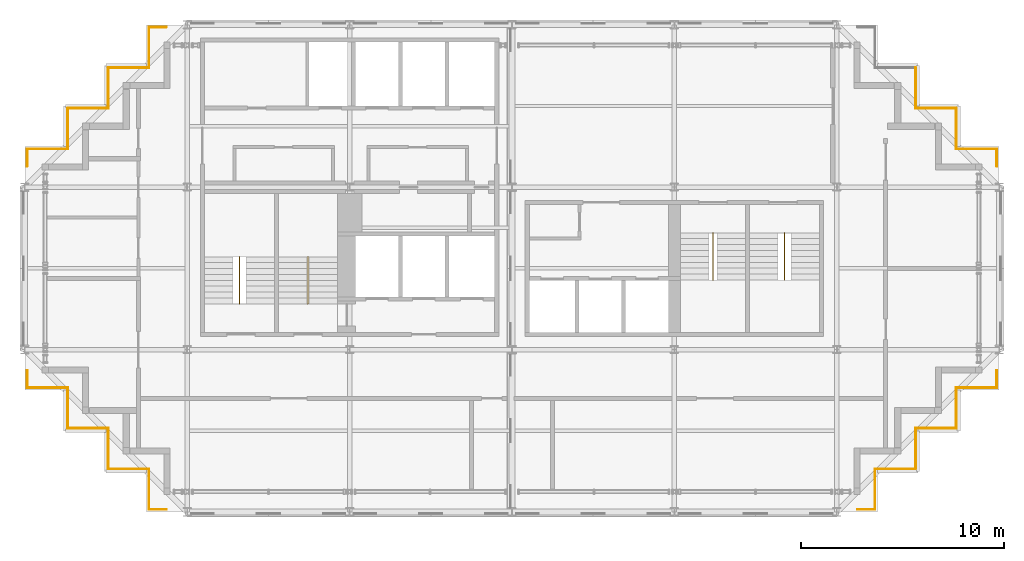
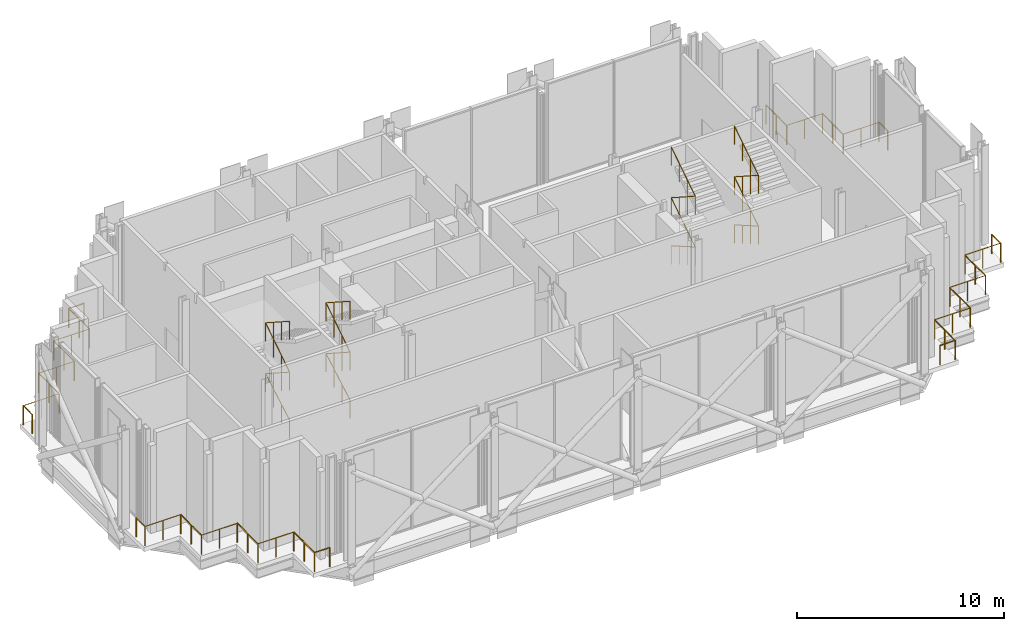
# One storey, part 15 of 16: 33 railings.
"""IFC4 building model written with IfcOpenShell, lengths in metres."""

import ifcopenshell
import ifcopenshell.guid

model = None  # the IFC model being written
_history = None  # IfcOwnerHistory: only IFC2X3 demands one
_inside = {}  # id of a spatial element -> (the spatial element, [elements in it])
_under = {}  # id of a project, library or spatial element -> (it, [spatial elements below it])
_declared = {}  # id of a project -> (the project, [libraries it declares])
_typed = {}  # id of a type object -> (the type object, [elements of that type])
_made_of = {}  # id of a material, layer set ... -> (it, [elements and type objects made of it])


def new_model(schema):
    """Start an empty IFC model of exactly this schema.

    Asked for "IFC4X3", IfcOpenShell would pick the latest addendum, in which some entities
    have other attributes; the version numbers below select the first issue.
    IFC2X3 requires an IfcOwnerHistory on every rooted entity: one is made here for all.
    """
    global model, _history
    if schema == "IFC4X3":
        model = ifcopenshell.file(schema_version=(4, 3, 0, 0))
    else:
        model = ifcopenshell.file(schema=schema)
    _inside.clear()
    _under.clear()
    _declared.clear()
    _typed.clear()
    _made_of.clear()
    _history = None
    if model.schema == "IFC2X3":
        org = make("IfcOrganization", Name="unknown")
        user = make(
            "IfcPersonAndOrganization",
            ThePerson=make("IfcPerson", FamilyName="unknown"),
            TheOrganization=org,
        )
        app = make(
            "IfcApplication",
            ApplicationDeveloper=org,
            Version="unknown",
            ApplicationFullName="unknown",
            ApplicationIdentifier="unknown",
        )
        _history = make(
            "IfcOwnerHistory",
            OwningUser=user,
            OwningApplication=app,
            ChangeAction="ADDED",
            CreationDate=0,
        )
    return model


def make(cls, **values):
    """One entity of the class cls with the attributes given. An attribute that is None is left unset."""
    return model.create_entity(
        cls, **{name: value for name, value in values.items() if value is not None}
    )


def rooted(cls, **values):
    """An entity with a GlobalId (a new one), such as an element, a storey or a relation."""
    return make(cls, GlobalId=ifcopenshell.guid.new(), OwnerHistory=_history, **values)


def si_unit(unit_type, name, prefix=None):
    """IfcSIUnit, for example si_unit("LENGTHUNIT", "METRE", prefix="MILLI")."""
    return make("IfcSIUnit", UnitType=unit_type, Prefix=prefix, Name=name)


def assignment(units):
    """IfcUnitAssignment: the units of a project."""
    return None if units is None else make("IfcUnitAssignment", Units=units)


def point(xyz):
    """IfcCartesianPoint."""
    return None if xyz is None else make("IfcCartesianPoint", Coordinates=xyz)


def direction(xyz):
    """IfcDirection."""
    return None if xyz is None else make("IfcDirection", DirectionRatios=xyz)


def frame(location, z_axis=None, x_axis=None):
    """IfcAxis2Placement3D, a coordinate frame: its origin and axes. An axis left out is left unset."""
    return make(
        "IfcAxis2Placement3D",
        Location=point(location),
        Axis=direction(z_axis),
        RefDirection=direction(x_axis),
    )


def frame_2d(location, x_axis=None):
    """IfcAxis2Placement2D, a coordinate frame in the plane: its origin and x axis."""
    return make(
        "IfcAxis2Placement2D", Location=point(location), RefDirection=direction(x_axis)
    )


def origin():
    """The frame at (0, 0, 0) with its axes left unset."""
    return frame((0.0, 0.0, 0.0))


def origin_2d():
    """The frame at (0, 0) in the plane with its x axis left unset."""
    return frame_2d((0.0, 0.0))


def place(relative_to, where):
    """IfcLocalPlacement: puts the frame where relative to a parent placement (None: the world)."""
    return make(
        "IfcLocalPlacement", PlacementRelTo=relative_to, RelativePlacement=where
    )


def context(
    kind, dimensions, precision=None, world=None, true_north=None, identifier=None
):
    """IfcGeometricRepresentationContext, for example the 3D "Model" context."""
    return make(
        "IfcGeometricRepresentationContext",
        ContextIdentifier=identifier,
        ContextType=kind,
        CoordinateSpaceDimension=dimensions,
        Precision=precision,
        WorldCoordinateSystem=world,
        TrueNorth=true_north,
    )


def subcontext(parent, identifier, kind, view, scale=None):
    """IfcGeometricRepresentationSubContext, for example "Body" below "Model"."""
    return make(
        "IfcGeometricRepresentationSubContext",
        ContextIdentifier=identifier,
        ContextType=kind,
        ParentContext=parent,
        TargetScale=scale,
        TargetView=view,
    )


def project(units=None, contexts=None):
    """IfcProject with its units and contexts."""
    return rooted(
        "IfcProject",
        Name="project",
        RepresentationContexts=contexts,
        UnitsInContext=assignment(units),
    )


def spatial(cls, under=None, at=None, **own):
    """A site, building, storey or space (cls), placed at a placement, below another one or the project."""
    s = rooted(cls, ObjectPlacement=at, **own)
    if under is not None:
        _under.setdefault(under.id(), (under, []))[1].append(s)
    return s


def profile(cls, at=None, kind="AREA", **sizes):
    """A parametric profile (cls). Its sizes go by their IFC names, for example OverallWidth=200.0."""
    return make(cls, ProfileType=kind, Position=at, **sizes)


def circle(**sizes):
    """IfcCircleProfileDef."""
    return profile("IfcCircleProfileDef", **sizes)


def extrude(swept, where, along, depth):
    """IfcExtrudedAreaSolid: the profile swept, set in the frame where, extruded along a direction by depth."""
    return make(
        "IfcExtrudedAreaSolid",
        SweptArea=swept,
        Position=where,
        ExtrudedDirection=direction(along),
        Depth=depth,
    )


def shape(context_of_items, identifier, shape_type, items):
    """IfcShapeRepresentation: the items that make up one representation, for example the "Body"."""
    return make(
        "IfcShapeRepresentation",
        ContextOfItems=context_of_items,
        RepresentationIdentifier=identifier,
        RepresentationType=shape_type,
        Items=items,
    )


def material(Name=None, Category=None):
    """IfcMaterial."""
    return make("IfcMaterial", Name=Name, Category=Category)


def made_of(thing, what):
    """Note that an element or type object is made of a material, layer set ...; save() writes the relation."""
    if what is not None:
        _made_of.setdefault(what.id(), (what, []))[1].append(thing)
    return thing


def type_object(cls, material=None, **own):
    """A type object (cls), such as IfcWallType, which elements share."""
    return made_of(rooted(cls, **own), material)


def element(
    cls,
    number,
    at=None,
    inside=None,
    cuts=None,
    type_object=None,
    material=None,
    context=None,
    identifier="Body",
    shape_type=None,
    held_by="IfcProductDefinitionShape",
    body=None,
    shapes=None,
    **own,
):
    """One element of the class cls, such as IfcWall. Its Tag is "e" and its number.

    at: its placement. inside: the storey or other place that contains it. cuts: it is an
    opening in that element (IfcRelVoidsElement). A single representation is given by context,
    identifier, shape_type and body (its items); several are given by shapes. held_by: the class
    of the entity that holds the representations. save() writes the other relations.
    """
    e = rooted(cls, Tag="e%d" % number, ObjectPlacement=at, **own)
    if body is not None:
        shapes = [shape(context, identifier, shape_type, body)]
    if shapes is not None:
        e.Representation = make(held_by, Representations=shapes)
    if inside is not None:
        _inside.setdefault(inside.id(), (inside, []))[1].append(e)
    if cuts is not None:
        rooted(
            "IfcRelVoidsElement", RelatingBuildingElement=cuts, RelatedOpeningElement=e
        )
    if type_object is not None:
        _typed.setdefault(type_object.id(), (type_object, []))[1].append(e)
    return made_of(e, material)


def aggregate(whole, parts):
    """IfcRelAggregates: a whole, such as a stair, and the parts it consists of."""
    return rooted("IfcRelAggregates", RelatingObject=whole, RelatedObjects=parts)


def save(model, path):
    """Write the relations noted so far, then the file.

    IfcRelAggregates (storeys below a building ...), IfcRelContainedInSpatialStructure (elements
    in a storey), IfcRelDefinesByType, IfcRelAssociatesMaterial and IfcRelDeclares: one each for
    every whole, place, type object, material and project.
    """
    for whole, parts in _under.values():
        aggregate(whole, parts)
    for where, things in _inside.values():
        rooted(
            "IfcRelContainedInSpatialStructure",
            RelatedElements=things,
            RelatingStructure=where,
        )
    for kind, things in _typed.values():
        rooted("IfcRelDefinesByType", RelatedObjects=things, RelatingType=kind)
    for what, things in _made_of.values():
        rooted("IfcRelAssociatesMaterial", RelatedObjects=things, RelatingMaterial=what)
    for by, libraries in _declared.values():
        rooted("IfcRelDeclares", RelatingContext=by, RelatedDefinitions=libraries)
    model.write(path)


model = new_model("IFC4")

# Units and contexts
model_context = context("Model", 3, precision=1e-05, world=origin(), true_north=direction((0.0, 1.0)))
body_context = subcontext(model_context, "Body", "Model", "MODEL_VIEW")
ifc_project = project(units=[si_unit("LENGTHUNIT", "METRE"), si_unit("AREAUNIT", "SQUARE_METRE"), si_unit("VOLUMEUNIT", "CUBIC_METRE"), si_unit("PLANEANGLEUNIT", "RADIAN"), si_unit("MASSUNIT", "GRAM", prefix="KILO")], contexts=[model_context])

# Site, building, storey
site_placement = place(None, origin())
site = spatial("IfcSite", under=ifc_project, at=site_placement, CompositionType="ELEMENT")
building_placement = place(site_placement, origin())
building = spatial("IfcBuilding", under=site, at=building_placement, Name="Immortelle Media Tower", CompositionType="ELEMENT")
storey_placement = place(building_placement, frame((0.0, 0.0, 241.0)))
storey = spatial("IfcBuildingStorey", under=building, at=storey_placement, Name="L52", CompositionType="ELEMENT", Elevation=241.0)

# Railings
ifc_material = material(Name="Stainless steel AISI 316", Category="steel")
railing_type_1 = type_object("IfcRailingType", Name="Plant ledge guard 1150", PredefinedType="GUARDRAIL", material=ifc_material)
railing_1_placement = place(storey_placement, frame((0.1201171875, 6.1201171875, 0.0)))
element("IfcRailing", 1, at=railing_1_placement, inside=storey, type_object=railing_type_1, Name="Plant ledge guard L52-1", PredefinedType="GUARDRAIL", context=body_context, shape_type="SweptSolid", body=[
    extrude(circle(Radius=0.02001953125, at=origin_2d()), frame((0.0, 0.0, 1.1298828125), z_axis=(1.0, 0.0, 0.0), x_axis=(0.0, 1.0, 0.0)), (0.0, 0.0, 1.0), 2.0),
    extrude(circle(Radius=0.02001953125, at=origin_2d()), origin(), (0.0, 0.0, 1.0), 1.10986328125),
    extrude(circle(Radius=0.02001953125, at=origin_2d()), frame((1.0, 0.0, 0.0)), (0.0, 0.0, 1.0), 1.10986328125),
    extrude(circle(Radius=0.02001953125, at=origin_2d()), frame((2.0, 0.0, 0.0)), (0.0, 0.0, 1.0), 1.10986328125),
])
railing_2_placement = place(storey_placement, frame((0.1201171875, 6.969970703125, 0.0)))
element("IfcRailing", 2, at=railing_2_placement, inside=storey, type_object=railing_type_1, Name="Plant ledge guard L52-2", PredefinedType="GUARDRAIL", context=body_context, shape_type="SweptSolid", body=[
    extrude(circle(Radius=0.02001953125, at=origin_2d()), frame((0.0, 0.0, 1.1298828125), z_axis=(0.0, -1.0, 0.0), x_axis=(1.0, 0.0, 0.0)), (0.0, 0.0, 1.0), 0.849853515625),
    extrude(circle(Radius=0.02001953125, at=origin_2d()), origin(), (0.0, 0.0, 1.0), 1.10986328125),
    extrude(circle(Radius=0.02001953125, at=origin_2d()), frame((0.0, -0.849853515625, 0.0)), (0.0, 0.0, 1.0), 1.10986328125),
])
railing_3_placement = place(storey_placement, frame((2.1201171875, 6.1201171875, 0.0)))
element("IfcRailing", 3, at=railing_3_placement, inside=storey, type_object=railing_type_1, Name="Plant ledge guard L52-3", PredefinedType="GUARDRAIL", context=body_context, shape_type="SweptSolid", body=[
    extrude(circle(Radius=0.02001953125, at=origin_2d()), frame((0.0, 0.0, 1.1298828125), z_axis=(0.0, -1.0, 0.0), x_axis=(1.0, 0.0, 0.0)), (0.0, 0.0, 1.0), 2.0),
    extrude(circle(Radius=0.02001953125, at=origin_2d()), origin(), (0.0, 0.0, 1.0), 1.10986328125),
    extrude(circle(Radius=0.02001953125, at=origin_2d()), frame((0.0, -1.0, 0.0)), (0.0, 0.0, 1.0), 1.10986328125),
    extrude(circle(Radius=0.02001953125, at=origin_2d()), frame((0.0, -2.0, 0.0)), (0.0, 0.0, 1.0), 1.10986328125),
])
railing_4_placement = place(storey_placement, frame((2.1201171875, 4.1201171875, 0.0)))
element("IfcRailing", 4, at=railing_4_placement, inside=storey, type_object=railing_type_1, Name="Plant ledge guard L52-4", PredefinedType="GUARDRAIL", context=body_context, shape_type="SweptSolid", body=[
    extrude(circle(Radius=0.02001953125, at=origin_2d()), frame((0.0, 0.0, 1.1298828125), z_axis=(1.0, 0.0, 0.0), x_axis=(0.0, 1.0, 0.0)), (0.0, 0.0, 1.0), 2.0),
    extrude(circle(Radius=0.02001953125, at=origin_2d()), origin(), (0.0, 0.0, 1.0), 1.10986328125),
    extrude(circle(Radius=0.02001953125, at=origin_2d()), frame((1.0, 0.0, 0.0)), (0.0, 0.0, 1.0), 1.10986328125),
    extrude(circle(Radius=0.02001953125, at=origin_2d()), frame((2.0, 0.0, 0.0)), (0.0, 0.0, 1.0), 1.10986328125),
])
railing_5_placement = place(storey_placement, frame((4.1201171875, 4.1201171875, 0.0)))
element("IfcRailing", 5, at=railing_5_placement, inside=storey, type_object=railing_type_1, Name="Plant ledge guard L52-5", PredefinedType="GUARDRAIL", context=body_context, shape_type="SweptSolid", body=[
    extrude(circle(Radius=0.02001953125, at=origin_2d()), frame((0.0, 0.0, 1.1298828125), z_axis=(0.0, -1.0, 0.0), x_axis=(1.0, 0.0, 0.0)), (0.0, 0.0, 1.0), 2.0),
    extrude(circle(Radius=0.02001953125, at=origin_2d()), origin(), (0.0, 0.0, 1.0), 1.10986328125),
    extrude(circle(Radius=0.02001953125, at=origin_2d()), frame((0.0, -1.0, 0.0)), (0.0, 0.0, 1.0), 1.10986328125),
    extrude(circle(Radius=0.02001953125, at=origin_2d()), frame((0.0, -2.0, 0.0)), (0.0, 0.0, 1.0), 1.10986328125),
])
railing_6_placement = place(storey_placement, frame((4.1201171875, 2.1201171875, 0.0)))
element("IfcRailing", 6, at=railing_6_placement, inside=storey, type_object=railing_type_1, Name="Plant ledge guard L52-6", PredefinedType="GUARDRAIL", context=body_context, shape_type="SweptSolid", body=[
    extrude(circle(Radius=0.02001953125, at=origin_2d()), frame((0.0, 0.0, 1.1298828125), z_axis=(1.0, 0.0, 0.0), x_axis=(0.0, 1.0, 0.0)), (0.0, 0.0, 1.0), 2.0),
    extrude(circle(Radius=0.02001953125, at=origin_2d()), origin(), (0.0, 0.0, 1.0), 1.10986328125),
    extrude(circle(Radius=0.02001953125, at=origin_2d()), frame((1.0, 0.0, 0.0)), (0.0, 0.0, 1.0), 1.10986328125),
    extrude(circle(Radius=0.02001953125, at=origin_2d()), frame((2.0, 0.0, 0.0)), (0.0, 0.0, 1.0), 1.10986328125),
])
railing_7_placement = place(storey_placement, frame((6.1201171875, 2.1201171875, 0.0)))
element("IfcRailing", 7, at=railing_7_placement, inside=storey, type_object=railing_type_1, Name="Plant ledge guard L52-7", PredefinedType="GUARDRAIL", context=body_context, shape_type="SweptSolid", body=[
    extrude(circle(Radius=0.02001953125, at=origin_2d()), frame((0.0, 0.0, 1.1298828125), z_axis=(0.0, -1.0, 0.0), x_axis=(1.0, 0.0, 0.0)), (0.0, 0.0, 1.0), 2.0),
    extrude(circle(Radius=0.02001953125, at=origin_2d()), origin(), (0.0, 0.0, 1.0), 1.10986328125),
    extrude(circle(Radius=0.02001953125, at=origin_2d()), frame((0.0, -1.0, 0.0)), (0.0, 0.0, 1.0), 1.10986328125),
    extrude(circle(Radius=0.02001953125, at=origin_2d()), frame((0.0, -2.0, 0.0)), (0.0, 0.0, 1.0), 1.10986328125),
])
railing_8_placement = place(storey_placement, frame((6.1201171875, 0.1201171875, 0.0)))
element("IfcRailing", 8, at=railing_8_placement, inside=storey, type_object=railing_type_1, Name="Plant ledge guard L52-8", PredefinedType="GUARDRAIL", context=body_context, shape_type="SweptSolid", body=[
    extrude(circle(Radius=0.02001953125, at=origin_2d()), frame((0.0, 0.0, 1.1298828125), z_axis=(1.0, 0.0, 0.0), x_axis=(0.0, 1.0, 0.0)), (0.0, 0.0, 1.0), 0.849853515625),
    extrude(circle(Radius=0.02001953125, at=origin_2d()), origin(), (0.0, 0.0, 1.0), 1.10986328125),
    extrude(circle(Radius=0.02001953125, at=origin_2d()), frame((0.849853515625, 0.0, 0.0)), (0.0, 0.0, 1.0), 1.10986328125),
])
railing_9_placement = place(storey_placement, frame((41.8798828125, 0.1201171875, 0.0)))
element("IfcRailing", 9, at=railing_9_placement, inside=storey, type_object=railing_type_1, Name="Plant ledge guard L52-9", PredefinedType="GUARDRAIL", context=body_context, shape_type="SweptSolid", body=[
    extrude(circle(Radius=0.02001953125, at=origin_2d()), frame((0.0, 0.0, 1.1298828125), z_axis=(0.0, 1.0, 0.0), x_axis=(-1.0, 0.0, 0.0)), (0.0, 0.0, 1.0), 2.0),
    extrude(circle(Radius=0.02001953125, at=origin_2d()), origin(), (0.0, 0.0, 1.0), 1.10986328125),
    extrude(circle(Radius=0.02001953125, at=origin_2d()), frame((0.0, 1.0, 0.0)), (0.0, 0.0, 1.0), 1.10986328125),
    extrude(circle(Radius=0.02001953125, at=origin_2d()), frame((0.0, 2.0, 0.0)), (0.0, 0.0, 1.0), 1.10986328125),
])
railing_10_placement = place(storey_placement, frame((41.030029296875, 0.1201171875, 0.0)))
element("IfcRailing", 10, at=railing_10_placement, inside=storey, type_object=railing_type_1, Name="Plant ledge guard L52-10", PredefinedType="GUARDRAIL", context=body_context, shape_type="SweptSolid", body=[
    extrude(circle(Radius=0.02001953125, at=origin_2d()), frame((0.0, 0.0, 1.1298828125), z_axis=(1.0, 0.0, 0.0), x_axis=(0.0, 1.0, 0.0)), (0.0, 0.0, 1.0), 0.849853515625),
    extrude(circle(Radius=0.02001953125, at=origin_2d()), origin(), (0.0, 0.0, 1.0), 1.10986328125),
    extrude(circle(Radius=0.02001953125, at=origin_2d()), frame((0.849853515625, 0.0, 0.0)), (0.0, 0.0, 1.0), 1.10986328125),
])
railing_11_placement = place(storey_placement, frame((41.8798828125, 2.1201171875, 0.0)))
element("IfcRailing", 11, at=railing_11_placement, inside=storey, type_object=railing_type_1, Name="Plant ledge guard L52-11", PredefinedType="GUARDRAIL", context=body_context, shape_type="SweptSolid", body=[
    extrude(circle(Radius=0.02001953125, at=origin_2d()), frame((0.0, 0.0, 1.1298828125), z_axis=(1.0, 0.0, 0.0), x_axis=(0.0, 1.0, 0.0)), (0.0, 0.0, 1.0), 2.0),
    extrude(circle(Radius=0.02001953125, at=origin_2d()), origin(), (0.0, 0.0, 1.0), 1.10986328125),
    extrude(circle(Radius=0.02001953125, at=origin_2d()), frame((1.0, 0.0, 0.0)), (0.0, 0.0, 1.0), 1.10986328125),
    extrude(circle(Radius=0.02001953125, at=origin_2d()), frame((2.0, 0.0, 0.0)), (0.0, 0.0, 1.0), 1.10986328125),
])
railing_12_placement = place(storey_placement, frame((43.8798828125, 2.1201171875, 0.0)))
element("IfcRailing", 12, at=railing_12_placement, inside=storey, type_object=railing_type_1, Name="Plant ledge guard L52-12", PredefinedType="GUARDRAIL", context=body_context, shape_type="SweptSolid", body=[
    extrude(circle(Radius=0.02001953125, at=origin_2d()), frame((0.0, 0.0, 1.1298828125), z_axis=(0.0, 1.0, 0.0), x_axis=(-1.0, 0.0, 0.0)), (0.0, 0.0, 1.0), 2.0),
    extrude(circle(Radius=0.02001953125, at=origin_2d()), origin(), (0.0, 0.0, 1.0), 1.10986328125),
    extrude(circle(Radius=0.02001953125, at=origin_2d()), frame((0.0, 1.0, 0.0)), (0.0, 0.0, 1.0), 1.10986328125),
    extrude(circle(Radius=0.02001953125, at=origin_2d()), frame((0.0, 2.0, 0.0)), (0.0, 0.0, 1.0), 1.10986328125),
])
railing_13_placement = place(storey_placement, frame((43.8798828125, 4.1201171875, 0.0)))
element("IfcRailing", 13, at=railing_13_placement, inside=storey, type_object=railing_type_1, Name="Plant ledge guard L52-13", PredefinedType="GUARDRAIL", context=body_context, shape_type="SweptSolid", body=[
    extrude(circle(Radius=0.02001953125, at=origin_2d()), frame((0.0, 0.0, 1.1298828125), z_axis=(1.0, 0.0, 0.0), x_axis=(0.0, 1.0, 0.0)), (0.0, 0.0, 1.0), 2.0),
    extrude(circle(Radius=0.02001953125, at=origin_2d()), origin(), (0.0, 0.0, 1.0), 1.10986328125),
    extrude(circle(Radius=0.02001953125, at=origin_2d()), frame((1.0, 0.0, 0.0)), (0.0, 0.0, 1.0), 1.10986328125),
    extrude(circle(Radius=0.02001953125, at=origin_2d()), frame((2.0, 0.0, 0.0)), (0.0, 0.0, 1.0), 1.10986328125),
])
railing_14_placement = place(storey_placement, frame((45.8798828125, 4.1201171875, 0.0)))
element("IfcRailing", 14, at=railing_14_placement, inside=storey, type_object=railing_type_1, Name="Plant ledge guard L52-14", PredefinedType="GUARDRAIL", context=body_context, shape_type="SweptSolid", body=[
    extrude(circle(Radius=0.02001953125, at=origin_2d()), frame((0.0, 0.0, 1.1298828125), z_axis=(0.0, 1.0, 0.0), x_axis=(-1.0, 0.0, 0.0)), (0.0, 0.0, 1.0), 2.0),
    extrude(circle(Radius=0.02001953125, at=origin_2d()), origin(), (0.0, 0.0, 1.0), 1.10986328125),
    extrude(circle(Radius=0.02001953125, at=origin_2d()), frame((0.0, 1.0, 0.0)), (0.0, 0.0, 1.0), 1.10986328125),
    extrude(circle(Radius=0.02001953125, at=origin_2d()), frame((0.0, 2.0, 0.0)), (0.0, 0.0, 1.0), 1.10986328125),
])
railing_15_placement = place(storey_placement, frame((45.8798828125, 6.1201171875, 0.0)))
element("IfcRailing", 15, at=railing_15_placement, inside=storey, type_object=railing_type_1, Name="Plant ledge guard L52-15", PredefinedType="GUARDRAIL", context=body_context, shape_type="SweptSolid", body=[
    extrude(circle(Radius=0.02001953125, at=origin_2d()), frame((0.0, 0.0, 1.1298828125), z_axis=(1.0, 0.0, 0.0), x_axis=(0.0, 1.0, 0.0)), (0.0, 0.0, 1.0), 2.0),
    extrude(circle(Radius=0.02001953125, at=origin_2d()), origin(), (0.0, 0.0, 1.0), 1.10986328125),
    extrude(circle(Radius=0.02001953125, at=origin_2d()), frame((1.0, 0.0, 0.0)), (0.0, 0.0, 1.0), 1.10986328125),
    extrude(circle(Radius=0.02001953125, at=origin_2d()), frame((2.0, 0.0, 0.0)), (0.0, 0.0, 1.0), 1.10986328125),
])
railing_16_placement = place(storey_placement, frame((47.8798828125, 6.1201171875, 0.0)))
element("IfcRailing", 16, at=railing_16_placement, inside=storey, type_object=railing_type_1, Name="Plant ledge guard L52-16", PredefinedType="GUARDRAIL", context=body_context, shape_type="SweptSolid", body=[
    extrude(circle(Radius=0.02001953125, at=origin_2d()), frame((0.0, 0.0, 1.1298828125), z_axis=(0.0, 1.0, 0.0), x_axis=(-1.0, 0.0, 0.0)), (0.0, 0.0, 1.0), 0.849853515625),
    extrude(circle(Radius=0.02001953125, at=origin_2d()), origin(), (0.0, 0.0, 1.0), 1.10986328125),
    extrude(circle(Radius=0.02001953125, at=origin_2d()), frame((0.0, 0.849853515625, 0.0)), (0.0, 0.0, 1.0), 1.10986328125),
])
railing_17_placement = place(storey_placement, frame((47.8798828125, 17.8798828125, 0.0)))
element("IfcRailing", 17, at=railing_17_placement, inside=storey, type_object=railing_type_1, Name="Plant ledge guard L52-17", PredefinedType="GUARDRAIL", context=body_context, shape_type="SweptSolid", body=[
    extrude(circle(Radius=0.02001953125, at=origin_2d()), frame((0.0, 0.0, 1.1298828125), z_axis=(-1.0, 0.0, 0.0), x_axis=(0.0, -1.0, 0.0)), (0.0, 0.0, 1.0), 2.0),
    extrude(circle(Radius=0.02001953125, at=origin_2d()), origin(), (0.0, 0.0, 1.0), 1.10986328125),
    extrude(circle(Radius=0.02001953125, at=origin_2d()), frame((-1.0, 0.0, 0.0)), (0.0, 0.0, 1.0), 1.10986328125),
    extrude(circle(Radius=0.02001953125, at=origin_2d()), frame((-2.0, 0.0, 0.0)), (0.0, 0.0, 1.0), 1.10986328125),
])
railing_18_placement = place(storey_placement, frame((47.8798828125, 17.030029296875, 0.0)))
element("IfcRailing", 18, at=railing_18_placement, inside=storey, type_object=railing_type_1, Name="Plant ledge guard L52-18", PredefinedType="GUARDRAIL", context=body_context, shape_type="SweptSolid", body=[
    extrude(circle(Radius=0.02001953125, at=origin_2d()), frame((0.0, 0.0, 1.1298828125), z_axis=(0.0, 1.0, 0.0), x_axis=(-1.0, 0.0, 0.0)), (0.0, 0.0, 1.0), 0.849853515625),
    extrude(circle(Radius=0.02001953125, at=origin_2d()), origin(), (0.0, 0.0, 1.0), 1.10986328125),
    extrude(circle(Radius=0.02001953125, at=origin_2d()), frame((0.0, 0.849853515625, 0.0)), (0.0, 0.0, 1.0), 1.10986328125),
])
railing_19_placement = place(storey_placement, frame((45.8798828125, 17.8798828125, 0.0)))
element("IfcRailing", 19, at=railing_19_placement, inside=storey, type_object=railing_type_1, Name="Plant ledge guard L52-19", PredefinedType="GUARDRAIL", context=body_context, shape_type="SweptSolid", body=[
    extrude(circle(Radius=0.02001953125, at=origin_2d()), frame((0.0, 0.0, 1.1298828125), z_axis=(0.0, 1.0, 0.0), x_axis=(-1.0, 0.0, 0.0)), (0.0, 0.0, 1.0), 2.0),
    extrude(circle(Radius=0.02001953125, at=origin_2d()), origin(), (0.0, 0.0, 1.0), 1.10986328125),
    extrude(circle(Radius=0.02001953125, at=origin_2d()), frame((0.0, 1.0, 0.0)), (0.0, 0.0, 1.0), 1.10986328125),
    extrude(circle(Radius=0.02001953125, at=origin_2d()), frame((0.0, 2.0, 0.0)), (0.0, 0.0, 1.0), 1.10986328125),
])
railing_20_placement = place(storey_placement, frame((45.8798828125, 19.8798828125, 0.0)))
element("IfcRailing", 20, at=railing_20_placement, inside=storey, type_object=railing_type_1, Name="Plant ledge guard L52-20", PredefinedType="GUARDRAIL", context=body_context, shape_type="SweptSolid", body=[
    extrude(circle(Radius=0.02001953125, at=origin_2d()), frame((0.0, 0.0, 1.1298828125), z_axis=(-1.0, 0.0, 0.0), x_axis=(0.0, -1.0, 0.0)), (0.0, 0.0, 1.0), 2.0),
    extrude(circle(Radius=0.02001953125, at=origin_2d()), origin(), (0.0, 0.0, 1.0), 1.10986328125),
    extrude(circle(Radius=0.02001953125, at=origin_2d()), frame((-1.0, 0.0, 0.0)), (0.0, 0.0, 1.0), 1.10986328125),
    extrude(circle(Radius=0.02001953125, at=origin_2d()), frame((-2.0, 0.0, 0.0)), (0.0, 0.0, 1.0), 1.10986328125),
])
railing_21_placement = place(storey_placement, frame((43.8798828125, 19.8798828125, 0.0)))
element("IfcRailing", 21, at=railing_21_placement, inside=storey, type_object=railing_type_1, Name="Plant ledge guard L52-21", PredefinedType="GUARDRAIL", context=body_context, shape_type="SweptSolid", body=[
    extrude(circle(Radius=0.02001953125, at=origin_2d()), frame((0.0, 0.0, 1.1298828125), z_axis=(0.0, 1.0, 0.0), x_axis=(-1.0, 0.0, 0.0)), (0.0, 0.0, 1.0), 2.0),
    extrude(circle(Radius=0.02001953125, at=origin_2d()), origin(), (0.0, 0.0, 1.0), 1.10986328125),
    extrude(circle(Radius=0.02001953125, at=origin_2d()), frame((0.0, 1.0, 0.0)), (0.0, 0.0, 1.0), 1.10986328125),
    extrude(circle(Radius=0.02001953125, at=origin_2d()), frame((0.0, 2.0, 0.0)), (0.0, 0.0, 1.0), 1.10986328125),
])
railing_22_placement = place(storey_placement, frame((6.1201171875, 23.8798828125, 0.0)))
element("IfcRailing", 22, at=railing_22_placement, inside=storey, type_object=railing_type_1, Name="Plant ledge guard L52-25", PredefinedType="GUARDRAIL", context=body_context, shape_type="SweptSolid", body=[
    extrude(circle(Radius=0.02001953125, at=origin_2d()), frame((0.0, 0.0, 1.1298828125), z_axis=(0.0, -1.0, 0.0), x_axis=(1.0, 0.0, 0.0)), (0.0, 0.0, 1.0), 2.0),
    extrude(circle(Radius=0.02001953125, at=origin_2d()), origin(), (0.0, 0.0, 1.0), 1.10986328125),
    extrude(circle(Radius=0.02001953125, at=origin_2d()), frame((0.0, -1.0, 0.0)), (0.0, 0.0, 1.0), 1.10986328125),
    extrude(circle(Radius=0.02001953125, at=origin_2d()), frame((0.0, -2.0, 0.0)), (0.0, 0.0, 1.0), 1.10986328125),
])
railing_23_placement = place(storey_placement, frame((6.969970703125, 23.8798828125, 0.0)))
element("IfcRailing", 23, at=railing_23_placement, inside=storey, type_object=railing_type_1, Name="Plant ledge guard L52-26", PredefinedType="GUARDRAIL", context=body_context, shape_type="SweptSolid", body=[
    extrude(circle(Radius=0.02001953125, at=origin_2d()), frame((0.0, 0.0, 1.1298828125), z_axis=(-1.0, 0.0, 0.0), x_axis=(0.0, -1.0, 0.0)), (0.0, 0.0, 1.0), 0.849853515625),
    extrude(circle(Radius=0.02001953125, at=origin_2d()), origin(), (0.0, 0.0, 1.0), 1.10986328125),
    extrude(circle(Radius=0.02001953125, at=origin_2d()), frame((-0.849853515625, 0.0, 0.0)), (0.0, 0.0, 1.0), 1.10986328125),
])
railing_24_placement = place(storey_placement, frame((6.1201171875, 21.8798828125, 0.0)))
element("IfcRailing", 24, at=railing_24_placement, inside=storey, type_object=railing_type_1, Name="Plant ledge guard L52-27", PredefinedType="GUARDRAIL", context=body_context, shape_type="SweptSolid", body=[
    extrude(circle(Radius=0.02001953125, at=origin_2d()), frame((0.0, 0.0, 1.1298828125), z_axis=(-1.0, 0.0, 0.0), x_axis=(0.0, -1.0, 0.0)), (0.0, 0.0, 1.0), 2.0),
    extrude(circle(Radius=0.02001953125, at=origin_2d()), origin(), (0.0, 0.0, 1.0), 1.10986328125),
    extrude(circle(Radius=0.02001953125, at=origin_2d()), frame((-1.0, 0.0, 0.0)), (0.0, 0.0, 1.0), 1.10986328125),
    extrude(circle(Radius=0.02001953125, at=origin_2d()), frame((-2.0, 0.0, 0.0)), (0.0, 0.0, 1.0), 1.10986328125),
])
railing_25_placement = place(storey_placement, frame((4.1201171875, 21.8798828125, 0.0)))
element("IfcRailing", 25, at=railing_25_placement, inside=storey, type_object=railing_type_1, Name="Plant ledge guard L52-28", PredefinedType="GUARDRAIL", context=body_context, shape_type="SweptSolid", body=[
    extrude(circle(Radius=0.02001953125, at=origin_2d()), frame((0.0, 0.0, 1.1298828125), z_axis=(0.0, -1.0, 0.0), x_axis=(1.0, 0.0, 0.0)), (0.0, 0.0, 1.0), 2.0),
    extrude(circle(Radius=0.02001953125, at=origin_2d()), origin(), (0.0, 0.0, 1.0), 1.10986328125),
    extrude(circle(Radius=0.02001953125, at=origin_2d()), frame((0.0, -1.0, 0.0)), (0.0, 0.0, 1.0), 1.10986328125),
    extrude(circle(Radius=0.02001953125, at=origin_2d()), frame((0.0, -2.0, 0.0)), (0.0, 0.0, 1.0), 1.10986328125),
])
railing_26_placement = place(storey_placement, frame((4.1201171875, 19.8798828125, 0.0)))
element("IfcRailing", 26, at=railing_26_placement, inside=storey, type_object=railing_type_1, Name="Plant ledge guard L52-29", PredefinedType="GUARDRAIL", context=body_context, shape_type="SweptSolid", body=[
    extrude(circle(Radius=0.02001953125, at=origin_2d()), frame((0.0, 0.0, 1.1298828125), z_axis=(-1.0, 0.0, 0.0), x_axis=(0.0, -1.0, 0.0)), (0.0, 0.0, 1.0), 2.0),
    extrude(circle(Radius=0.02001953125, at=origin_2d()), origin(), (0.0, 0.0, 1.0), 1.10986328125),
    extrude(circle(Radius=0.02001953125, at=origin_2d()), frame((-1.0, 0.0, 0.0)), (0.0, 0.0, 1.0), 1.10986328125),
    extrude(circle(Radius=0.02001953125, at=origin_2d()), frame((-2.0, 0.0, 0.0)), (0.0, 0.0, 1.0), 1.10986328125),
])
railing_27_placement = place(storey_placement, frame((2.1201171875, 19.8798828125, 0.0)))
element("IfcRailing", 27, at=railing_27_placement, inside=storey, type_object=railing_type_1, Name="Plant ledge guard L52-30", PredefinedType="GUARDRAIL", context=body_context, shape_type="SweptSolid", body=[
    extrude(circle(Radius=0.02001953125, at=origin_2d()), frame((0.0, 0.0, 1.1298828125), z_axis=(0.0, -1.0, 0.0), x_axis=(1.0, 0.0, 0.0)), (0.0, 0.0, 1.0), 2.0),
    extrude(circle(Radius=0.02001953125, at=origin_2d()), origin(), (0.0, 0.0, 1.0), 1.10986328125),
    extrude(circle(Radius=0.02001953125, at=origin_2d()), frame((0.0, -1.0, 0.0)), (0.0, 0.0, 1.0), 1.10986328125),
    extrude(circle(Radius=0.02001953125, at=origin_2d()), frame((0.0, -2.0, 0.0)), (0.0, 0.0, 1.0), 1.10986328125),
])
railing_28_placement = place(storey_placement, frame((2.1201171875, 17.8798828125, 0.0)))
element("IfcRailing", 28, at=railing_28_placement, inside=storey, type_object=railing_type_1, Name="Plant ledge guard L52-31", PredefinedType="GUARDRAIL", context=body_context, shape_type="SweptSolid", body=[
    extrude(circle(Radius=0.02001953125, at=origin_2d()), frame((0.0, 0.0, 1.1298828125), z_axis=(-1.0, 0.0, 0.0), x_axis=(0.0, -1.0, 0.0)), (0.0, 0.0, 1.0), 2.0),
    extrude(circle(Radius=0.02001953125, at=origin_2d()), origin(), (0.0, 0.0, 1.0), 1.10986328125),
    extrude(circle(Radius=0.02001953125, at=origin_2d()), frame((-1.0, 0.0, 0.0)), (0.0, 0.0, 1.0), 1.10986328125),
    extrude(circle(Radius=0.02001953125, at=origin_2d()), frame((-2.0, 0.0, 0.0)), (0.0, 0.0, 1.0), 1.10986328125),
])
railing_29_placement = place(storey_placement, frame((0.1201171875, 17.8798828125, 0.0)))
element("IfcRailing", 29, at=railing_29_placement, inside=storey, type_object=railing_type_1, Name="Plant ledge guard L52-32", PredefinedType="GUARDRAIL", context=body_context, shape_type="SweptSolid", body=[
    extrude(circle(Radius=0.02001953125, at=origin_2d()), frame((0.0, 0.0, 1.1298828125), z_axis=(0.0, -1.0, 0.0), x_axis=(1.0, 0.0, 0.0)), (0.0, 0.0, 1.0), 0.849853515625),
    extrude(circle(Radius=0.02001953125, at=origin_2d()), origin(), (0.0, 0.0, 1.0), 1.10986328125),
    extrude(circle(Radius=0.02001953125, at=origin_2d()), frame((0.0, -0.849853515625, 0.0)), (0.0, 0.0, 1.0), 1.10986328125),
])
railing_type_2 = type_object("IfcRailingType", Name="Stair guard 1100", PredefinedType="GUARDRAIL", material=ifc_material)
railing_30_placement = place(storey_placement, frame((10.574951171875, 10.25, 0.166748046875)))
element("IfcRailing", 30, at=railing_30_placement, inside=storey, type_object=railing_type_2, Name="Stair guard SW1", PredefinedType="GUARDRAIL", context=body_context, shape_type="SweptSolid", body=[
    extrude(circle(Radius=0.02392578125, at=origin_2d()), frame((0.0, 0.0, 1.076171875), z_axis=(0.0, 0.867033425039, 0.498249977285), x_axis=(-1.0, 0.0, 0.0)), (0.0, 0.0, 1.0), 2.67578125),
    extrude(circle(Radius=0.02392578125, at=origin_2d()), frame((0.0, 2.320068359375, 2.4091796875), z_axis=(0.0, -0.839771624056, 0.54293979356), x_axis=(1.0, 0.0, 0.0)), (0.0, 0.0, 1.0), 2.7626953125),
    extrude(circle(Radius=0.02392578125, at=origin_2d()), frame((0.0, 0.0, 3.9091796875), z_axis=(0.0, 0.839771624056, 0.54293979356), x_axis=(-1.0, 0.0, 0.0)), (0.0, 0.0, 1.0), 2.7626953125),
    extrude(circle(Radius=0.02392578125, at=origin_2d()), frame((0.0, 2.320068359375, 5.4091796875), z_axis=(0.0, -0.839771624056, 0.54293979356), x_axis=(1.0, 0.0, 0.0)), (0.0, 0.0, 1.0), 2.7626953125),
    extrude(circle(Radius=0.02099609375, at=origin_2d()), origin(), (0.0, 0.0, 1.0), 1.052001953125),
    extrude(circle(Radius=0.02099609375, at=origin_2d()), frame((0.0, 0.7734375, 0.4443359375)), (0.0, 0.0, 1.0), 1.052001953125),
    extrude(circle(Radius=0.02099609375, at=origin_2d()), frame((0.0, 1.546630859375, 0.888916015625)), (0.0, 0.0, 1.0), 1.052001953125),
    extrude(circle(Radius=0.02099609375, at=origin_2d()), frame((0.0, 2.320068359375, 1.333251953125)), (0.0, 0.0, 1.0), 1.052001953125),
    extrude(circle(Radius=0.02099609375, at=origin_2d()), frame((0.0, 1.546630859375, 1.833251953125)), (0.0, 0.0, 1.0), 1.052001953125),
    extrude(circle(Radius=0.02099609375, at=origin_2d()), frame((0.0, 0.7734375, 2.333251953125)), (0.0, 0.0, 1.0), 1.052001953125),
    extrude(circle(Radius=0.02099609375, at=origin_2d()), frame((0.0, 0.0, 2.833251953125)), (0.0, 0.0, 1.0), 1.052001953125),
    extrude(circle(Radius=0.02099609375, at=origin_2d()), frame((0.0, 0.7734375, 3.333251953125)), (0.0, 0.0, 1.0), 1.052001953125),
    extrude(circle(Radius=0.02099609375, at=origin_2d()), frame((0.0, 1.546630859375, 3.833251953125)), (0.0, 0.0, 1.0), 1.052001953125),
    extrude(circle(Radius=0.02099609375, at=origin_2d()), frame((0.0, 2.320068359375, 4.333251953125)), (0.0, 0.0, 1.0), 1.052001953125),
    extrude(circle(Radius=0.02099609375, at=origin_2d()), frame((0.0, 1.546630859375, 4.833251953125)), (0.0, 0.0, 1.0), 1.052001953125),
    extrude(circle(Radius=0.02099609375, at=origin_2d()), frame((0.0, 0.7734375, 5.333251953125)), (0.0, 0.0, 1.0), 1.052001953125),
    extrude(circle(Radius=0.02099609375, at=origin_2d()), frame((0.0, 0.0, 5.833251953125)), (0.0, 0.0, 1.0), 1.052001953125),
])
railing_31_placement = place(storey_placement, frame((13.949951171875, 10.25, 0.166748046875)))
element("IfcRailing", 31, at=railing_31_placement, inside=storey, type_object=railing_type_2, Name="Stair guard SW2", PredefinedType="GUARDRAIL", context=body_context, shape_type="SweptSolid", body=[
    extrude(circle(Radius=0.02392578125, at=origin_2d()), frame((0.0, 0.0, 1.076171875), z_axis=(0.0, 0.867033425039, 0.498249977285), x_axis=(-1.0, 0.0, 0.0)), (0.0, 0.0, 1.0), 2.67578125),
    extrude(circle(Radius=0.02392578125, at=origin_2d()), frame((0.0, 2.320068359375, 2.4091796875), z_axis=(0.0, -0.839771624056, 0.54293979356), x_axis=(1.0, 0.0, 0.0)), (0.0, 0.0, 1.0), 2.7626953125),
    extrude(circle(Radius=0.02392578125, at=origin_2d()), frame((0.0, 0.0, 3.9091796875), z_axis=(0.0, 0.839771624056, 0.54293979356), x_axis=(-1.0, 0.0, 0.0)), (0.0, 0.0, 1.0), 2.7626953125),
    extrude(circle(Radius=0.02392578125, at=origin_2d()), frame((0.0, 2.320068359375, 5.4091796875), z_axis=(0.0, -0.839771624056, 0.54293979356), x_axis=(1.0, 0.0, 0.0)), (0.0, 0.0, 1.0), 2.7626953125),
    extrude(circle(Radius=0.02099609375, at=origin_2d()), origin(), (0.0, 0.0, 1.0), 1.052001953125),
    extrude(circle(Radius=0.02099609375, at=origin_2d()), frame((0.0, 0.7734375, 0.4443359375)), (0.0, 0.0, 1.0), 1.052001953125),
    extrude(circle(Radius=0.02099609375, at=origin_2d()), frame((0.0, 1.546630859375, 0.888916015625)), (0.0, 0.0, 1.0), 1.052001953125),
    extrude(circle(Radius=0.02099609375, at=origin_2d()), frame((0.0, 2.320068359375, 1.333251953125)), (0.0, 0.0, 1.0), 1.052001953125),
    extrude(circle(Radius=0.02099609375, at=origin_2d()), frame((0.0, 1.546630859375, 1.833251953125)), (0.0, 0.0, 1.0), 1.052001953125),
    extrude(circle(Radius=0.02099609375, at=origin_2d()), frame((0.0, 0.7734375, 2.333251953125)), (0.0, 0.0, 1.0), 1.052001953125),
    extrude(circle(Radius=0.02099609375, at=origin_2d()), frame((0.0, 0.0, 2.833251953125)), (0.0, 0.0, 1.0), 1.052001953125),
    extrude(circle(Radius=0.02099609375, at=origin_2d()), frame((0.0, 0.7734375, 3.333251953125)), (0.0, 0.0, 1.0), 1.052001953125),
    extrude(circle(Radius=0.02099609375, at=origin_2d()), frame((0.0, 1.546630859375, 3.833251953125)), (0.0, 0.0, 1.0), 1.052001953125),
    extrude(circle(Radius=0.02099609375, at=origin_2d()), frame((0.0, 2.320068359375, 4.333251953125)), (0.0, 0.0, 1.0), 1.052001953125),
    extrude(circle(Radius=0.02099609375, at=origin_2d()), frame((0.0, 1.546630859375, 4.833251953125)), (0.0, 0.0, 1.0), 1.052001953125),
    extrude(circle(Radius=0.02099609375, at=origin_2d()), frame((0.0, 0.7734375, 5.333251953125)), (0.0, 0.0, 1.0), 1.052001953125),
    extrude(circle(Radius=0.02099609375, at=origin_2d()), frame((0.0, 0.0, 5.833251953125)), (0.0, 0.0, 1.0), 1.052001953125),
])
railing_32_placement = place(storey_placement, frame((33.89990234375, 13.75, 0.166748046875)))
element("IfcRailing", 32, at=railing_32_placement, inside=storey, type_object=railing_type_2, Name="Stair guard SE1", PredefinedType="GUARDRAIL", context=body_context, shape_type="SweptSolid", body=[
    extrude(circle(Radius=0.02392578125, at=origin_2d()), frame((0.0, 0.0, 1.076171875), z_axis=(0.0, -0.867033425039, 0.498249977285), x_axis=(1.0, 0.0, 0.0)), (0.0, 0.0, 1.0), 2.67578125),
    extrude(circle(Radius=0.02392578125, at=origin_2d()), frame((0.0, -2.320068359375, 2.4091796875), z_axis=(0.0, 0.839771624056, 0.54293979356), x_axis=(-1.0, 0.0, 0.0)), (0.0, 0.0, 1.0), 2.7626953125),
    extrude(circle(Radius=0.02392578125, at=origin_2d()), frame((0.0, 0.0, 3.9091796875), z_axis=(0.0, -0.839771624056, 0.54293979356), x_axis=(1.0, 0.0, 0.0)), (0.0, 0.0, 1.0), 2.7626953125),
    extrude(circle(Radius=0.02392578125, at=origin_2d()), frame((0.0, -2.320068359375, 5.4091796875), z_axis=(0.0, 0.839771624056, 0.54293979356), x_axis=(-1.0, 0.0, 0.0)), (0.0, 0.0, 1.0), 2.7626953125),
    extrude(circle(Radius=0.02099609375, at=origin_2d()), origin(), (0.0, 0.0, 1.0), 1.052001953125),
    extrude(circle(Radius=0.02099609375, at=origin_2d()), frame((0.0, -0.7734375, 0.4443359375)), (0.0, 0.0, 1.0), 1.052001953125),
    extrude(circle(Radius=0.02099609375, at=origin_2d()), frame((0.0, -1.546630859375, 0.888916015625)), (0.0, 0.0, 1.0), 1.052001953125),
    extrude(circle(Radius=0.02099609375, at=origin_2d()), frame((0.0, -2.320068359375, 1.333251953125)), (0.0, 0.0, 1.0), 1.052001953125),
    extrude(circle(Radius=0.02099609375, at=origin_2d()), frame((0.0, -1.546630859375, 1.833251953125)), (0.0, 0.0, 1.0), 1.052001953125),
    extrude(circle(Radius=0.02099609375, at=origin_2d()), frame((0.0, -0.7734375, 2.333251953125)), (0.0, 0.0, 1.0), 1.052001953125),
    extrude(circle(Radius=0.02099609375, at=origin_2d()), frame((0.0, 0.0, 2.833251953125)), (0.0, 0.0, 1.0), 1.052001953125),
    extrude(circle(Radius=0.02099609375, at=origin_2d()), frame((0.0, -0.7734375, 3.333251953125)), (0.0, 0.0, 1.0), 1.052001953125),
    extrude(circle(Radius=0.02099609375, at=origin_2d()), frame((0.0, -1.546630859375, 3.833251953125)), (0.0, 0.0, 1.0), 1.052001953125),
    extrude(circle(Radius=0.02099609375, at=origin_2d()), frame((0.0, -2.320068359375, 4.333251953125)), (0.0, 0.0, 1.0), 1.052001953125),
    extrude(circle(Radius=0.02099609375, at=origin_2d()), frame((0.0, -1.546630859375, 4.833251953125)), (0.0, 0.0, 1.0), 1.052001953125),
    extrude(circle(Radius=0.02099609375, at=origin_2d()), frame((0.0, -0.7734375, 5.333251953125)), (0.0, 0.0, 1.0), 1.052001953125),
    extrude(circle(Radius=0.02099609375, at=origin_2d()), frame((0.0, 0.0, 5.833251953125)), (0.0, 0.0, 1.0), 1.052001953125),
])
railing_33_placement = place(storey_placement, frame((37.425048828125, 13.75, 0.166748046875)))
element("IfcRailing", 33, at=railing_33_placement, inside=storey, type_object=railing_type_2, Name="Stair guard SE2", PredefinedType="GUARDRAIL", context=body_context, shape_type="SweptSolid", body=[
    extrude(circle(Radius=0.02392578125, at=origin_2d()), frame((0.0, 0.0, 1.076171875), z_axis=(0.0, -0.867033425039, 0.498249977285), x_axis=(1.0, 0.0, 0.0)), (0.0, 0.0, 1.0), 2.67578125),
    extrude(circle(Radius=0.02392578125, at=origin_2d()), frame((0.0, -2.320068359375, 2.4091796875), z_axis=(0.0, 0.839771624056, 0.54293979356), x_axis=(-1.0, 0.0, 0.0)), (0.0, 0.0, 1.0), 2.7626953125),
    extrude(circle(Radius=0.02392578125, at=origin_2d()), frame((0.0, 0.0, 3.9091796875), z_axis=(0.0, -0.839771624056, 0.54293979356), x_axis=(1.0, 0.0, 0.0)), (0.0, 0.0, 1.0), 2.7626953125),
    extrude(circle(Radius=0.02392578125, at=origin_2d()), frame((0.0, -2.320068359375, 5.4091796875), z_axis=(0.0, 0.839771624056, 0.54293979356), x_axis=(-1.0, 0.0, 0.0)), (0.0, 0.0, 1.0), 2.7626953125),
    extrude(circle(Radius=0.02099609375, at=origin_2d()), origin(), (0.0, 0.0, 1.0), 1.052001953125),
    extrude(circle(Radius=0.02099609375, at=origin_2d()), frame((0.0, -0.7734375, 0.4443359375)), (0.0, 0.0, 1.0), 1.052001953125),
    extrude(circle(Radius=0.02099609375, at=origin_2d()), frame((0.0, -1.546630859375, 0.888916015625)), (0.0, 0.0, 1.0), 1.052001953125),
    extrude(circle(Radius=0.02099609375, at=origin_2d()), frame((0.0, -2.320068359375, 1.333251953125)), (0.0, 0.0, 1.0), 1.052001953125),
    extrude(circle(Radius=0.02099609375, at=origin_2d()), frame((0.0, -1.546630859375, 1.833251953125)), (0.0, 0.0, 1.0), 1.052001953125),
    extrude(circle(Radius=0.02099609375, at=origin_2d()), frame((0.0, -0.7734375, 2.333251953125)), (0.0, 0.0, 1.0), 1.052001953125),
    extrude(circle(Radius=0.02099609375, at=origin_2d()), frame((0.0, 0.0, 2.833251953125)), (0.0, 0.0, 1.0), 1.052001953125),
    extrude(circle(Radius=0.02099609375, at=origin_2d()), frame((0.0, -0.7734375, 3.333251953125)), (0.0, 0.0, 1.0), 1.052001953125),
    extrude(circle(Radius=0.02099609375, at=origin_2d()), frame((0.0, -1.546630859375, 3.833251953125)), (0.0, 0.0, 1.0), 1.052001953125),
    extrude(circle(Radius=0.02099609375, at=origin_2d()), frame((0.0, -2.320068359375, 4.333251953125)), (0.0, 0.0, 1.0), 1.052001953125),
    extrude(circle(Radius=0.02099609375, at=origin_2d()), frame((0.0, -1.546630859375, 4.833251953125)), (0.0, 0.0, 1.0), 1.052001953125),
    extrude(circle(Radius=0.02099609375, at=origin_2d()), frame((0.0, -0.7734375, 5.333251953125)), (0.0, 0.0, 1.0), 1.052001953125),
    extrude(circle(Radius=0.02099609375, at=origin_2d()), frame((0.0, 0.0, 5.833251953125)), (0.0, 0.0, 1.0), 1.052001953125),
])

save(model, "model.ifc")
